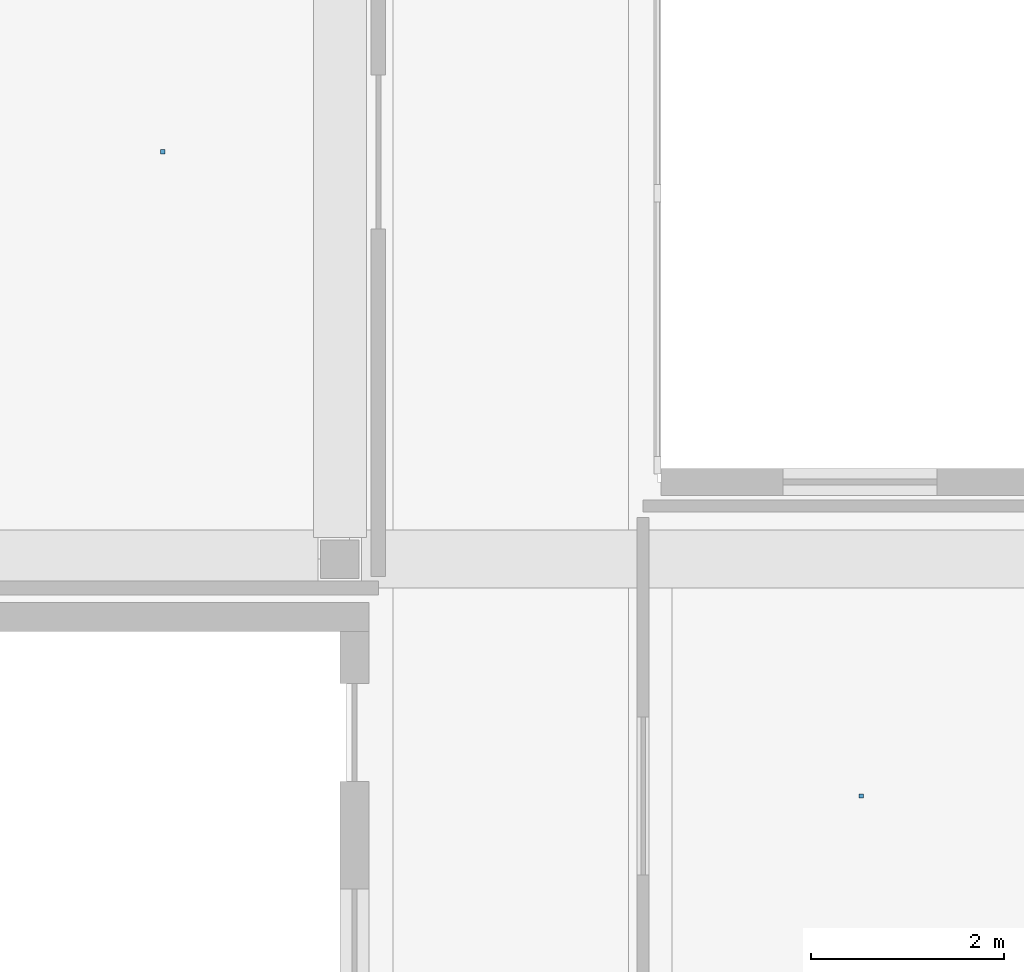
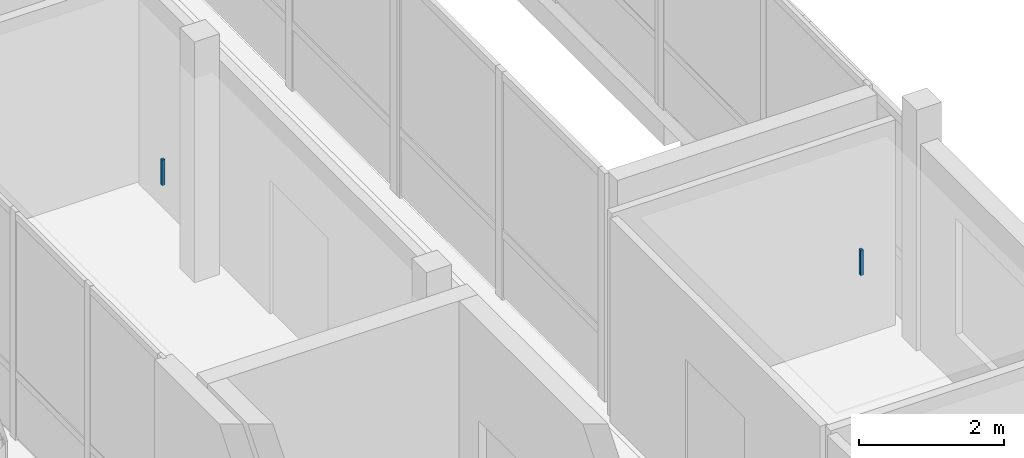
# One storey, part 16 of 24: 2 discrete accessories.
"""IFC4 building model written with IfcOpenShell, lengths in metres."""

from ifc_helpers import new_model, si_unit, derived_unit, direction, frame, origin, origin_2d, place, context, subcontext, project, spatial, rectangle, extrude, material, type_object, element, save


model = new_model("IFC4")

# Units and contexts
model_context = context("Model", 3, precision=1e-05, world=origin(), true_north=direction((0.0, 1.0)))
body_context = subcontext(model_context, "Body", "Model", "MODEL_VIEW")
ifc_project = project(units=[si_unit("LENGTHUNIT", "METRE"), si_unit("AREAUNIT", "SQUARE_METRE"), si_unit("VOLUMEUNIT", "CUBIC_METRE"), si_unit("PLANEANGLEUNIT", "RADIAN"), si_unit("MASSUNIT", "GRAM", prefix="KILO"), derived_unit("THERMALTRANSMITTANCEUNIT", [(si_unit("POWERUNIT", "WATT"), 1), (si_unit("LENGTHUNIT", "METRE"), -2), (si_unit("THERMODYNAMICTEMPERATUREUNIT", "KELVIN"), -1)])], contexts=[model_context])

# Site, building, storey
site_placement = place(None, origin())
site = spatial("IfcSite", under=ifc_project, at=site_placement, CompositionType="ELEMENT")
building_placement = place(site_placement, origin())
building = spatial("IfcBuilding", under=site, at=building_placement, Name="Braskholm Square Health Centre", CompositionType="ELEMENT")
storey_placement = place(building_placement, frame((0.0, 0.0, 21.60009765625)))
storey = spatial("IfcBuildingStorey", under=building, at=storey_placement, Name="L06", CompositionType="ELEMENT", Elevation=21.60009765625)

# Discrete accessories
ifc_material = material(Name="Steel ASTM A500 Grade C", Category="steel")
discrete_accessory_type = type_object("IfcDiscreteAccessoryType", Name="CeilingSuspensionBracket", PredefinedType="BRACKET", material=ifc_material)
for number, where, z_axis, x_axis, name in (
    (1, (9.56005859375, 34.030029296875, 3.421875), (0.0, 0.0, 1.0), (1.0, 0.0, 0.0), "Ceiling hanger bracket 0097"),
    (2, (16.81494140625, 27.340087890625, 3.421875), (0.0, 0.0, 1.0), (1.0, 0.0, 0.0), "Ceiling hanger bracket 0106"),
):
    element("IfcDiscreteAccessory", number, at=place(storey_placement, frame(where, z_axis=z_axis, x_axis=x_axis)), inside=storey, type_object=discrete_accessory_type, Name=name, PredefinedType="BRACKET", context=body_context, shape_type="SweptSolid", body=[
        extrude(rectangle(XDim=0.044921875, YDim=0.044921875, at=origin_2d()), origin(), (0.0, 0.0, 1.0), 0.429931640625),
    ])

save(model, "model.ifc")
